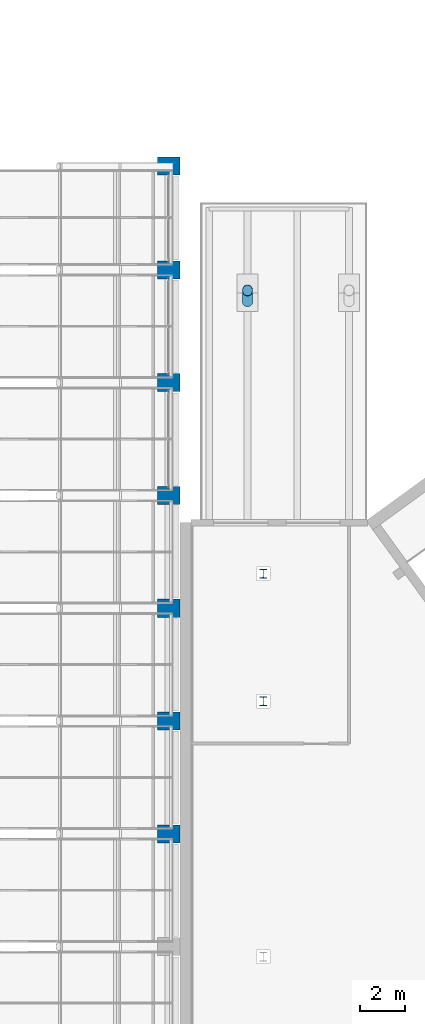
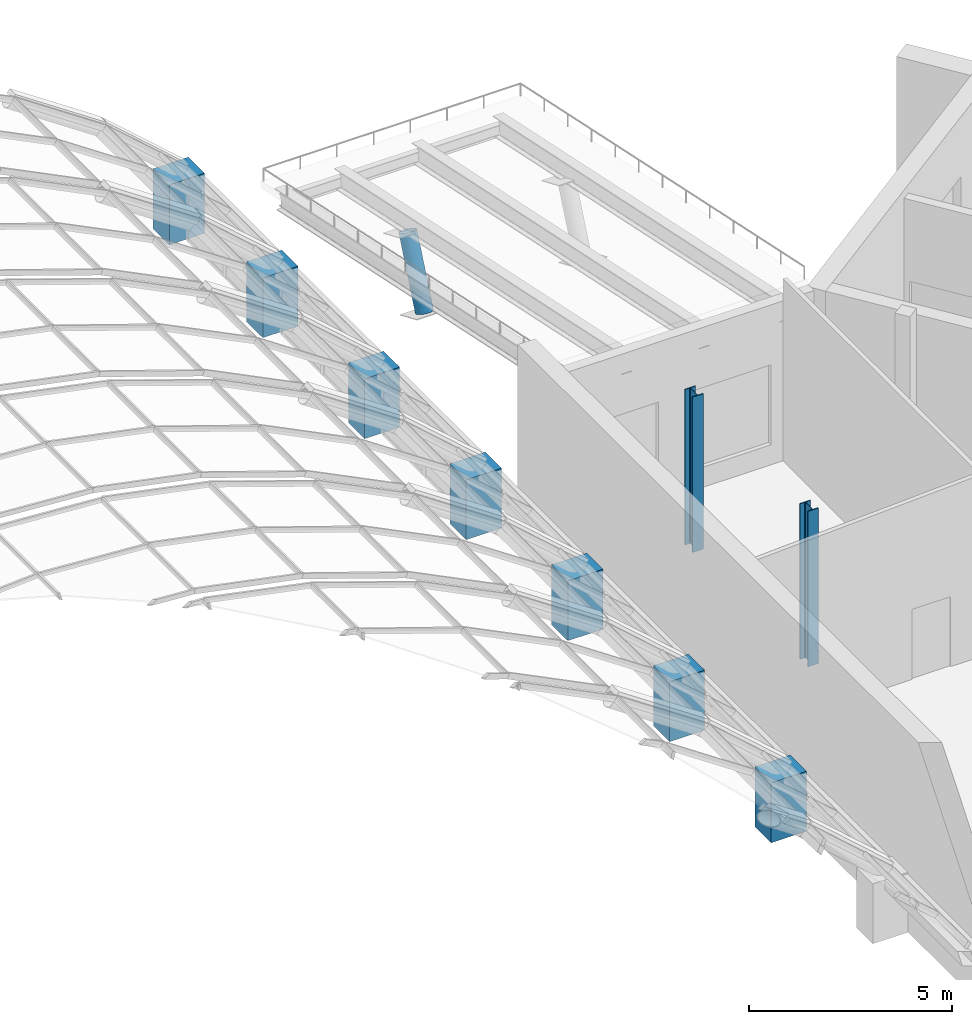
# One storey, part 25 of 182: 10 columns.
"""IFC4 building model written with IfcOpenShell, lengths in metres."""

from ifc_helpers import new_model, si_unit, direction, frame, origin, origin_2d, place, context, subcontext, project, spatial, rectangle, hollow_circle, i_section, extrude, material, material_profile, profile_set, type_object, element, save


model = new_model("IFC4")

# Units and contexts
model_context = context("Model", 3, precision=1e-05, world=origin(), true_north=direction((0.0, 1.0)))
body_context = subcontext(model_context, "Body", "Model", "MODEL_VIEW")
ifc_project = project(units=[si_unit("LENGTHUNIT", "METRE"), si_unit("AREAUNIT", "SQUARE_METRE"), si_unit("VOLUMEUNIT", "CUBIC_METRE"), si_unit("PLANEANGLEUNIT", "RADIAN"), si_unit("MASSUNIT", "GRAM", prefix="KILO")], contexts=[model_context])

# Site, building, storey
site_placement = place(None, origin())
site = spatial("IfcSite", under=ifc_project, at=site_placement, CompositionType="ELEMENT")
building_placement = place(site_placement, origin())
building = spatial("IfcBuilding", under=site, at=building_placement, Name="Okhra Congress Centre", CompositionType="ELEMENT")
storey_placement = place(building_placement, frame((0.0, 0.0, 7.199951171875)))
storey = spatial("IfcBuildingStorey", under=building, at=storey_placement, Name="L01", CompositionType="ELEMENT", Elevation=7.199951171875)

# Columns
ifc_material_1 = material(Name="Steel S355J2H", Category="steel")
ifc_material_profile_1 = material_profile(ifc_material_1, hollow_circle(Radius=0.228515625, WallThickness=0.012451171875, at=origin_2d()), Name="CHS 457x12.5")
ifc_profile_set_1 = profile_set([ifc_material_profile_1], Name="Steel S355J2H")
column_type_1 = type_object("IfcColumnType", Name="CHS 457x12.5", PredefinedType="COLUMN", material=ifc_profile_set_1)
column_placement = place(storey_placement, frame((192.5, 209.580810546875, 0.0), z_axis=(0.0, 0.390391463217, 0.920648958859), x_axis=(-1.0, 0.0, 0.0)))
element("IfcColumn", 1, at=column_placement, inside=storey, type_object=column_type_1, Name="North canopy strut 1 upper", PredefinedType="COLUMN", context=body_context, shape_type="SweptSolid", body=[
    extrude(hollow_circle(Radius=0.228515625, WallThickness=0.012451171875, at=origin_2d()), origin(), (0.0, 0.0, 1.0), 2.09814453125),
])
ifc_material_2 = material(Name="Steel S355J2", Category="steel")
ifc_material_profile_2 = material_profile(ifc_material_2, i_section(OverallWidth=0.300048828125, OverallDepth=0.39990234375, WebThickness=0.013427734375, FlangeThickness=0.02392578125, FilletRadius=0.027099609375, at=origin_2d()), Name="HE 400 B")
ifc_profile_set_2 = profile_set([ifc_material_profile_2], Name="Steel S355J2")
column_type_2 = type_object("IfcColumnType", Name="HE 400 B", PredefinedType="COLUMN", material=ifc_profile_set_2)
for number, where, z_axis, x_axis, name in (
    (2, (193.199951171875, 191.8798828125, 0.0), (0.0, 0.0, 1.0), (1.0, 0.0, 0.0), "Foyer roof column 6"),
    (3, (193.199951171875, 197.5400390625, 0.0), (0.0, 0.0, 1.0), (1.0, 0.0, 0.0), "Foyer roof column 7"),
):
    element("IfcColumn", number, at=place(storey_placement, frame(where, z_axis=z_axis, x_axis=x_axis)), inside=storey, type_object=column_type_2, Name=name, PredefinedType="COLUMN", context=body_context, shape_type="SweptSolid", body=[
        extrude(i_section(OverallWidth=0.300048828125, OverallDepth=0.39990234375, WebThickness=0.013427734375, FlangeThickness=0.02392578125, FilletRadius=0.027099609375, at=origin_2d()), origin(), (0.0, 0.0, 1.0), 4.667724609375),
    ])
ifc_material_3 = material(Name="Concrete C40/50", Category="concrete")
ifc_material_profile_3 = material_profile(ifc_material_3, rectangle(XDim=1.0, YDim=0.800048828125, at=origin_2d()), Name="RC 1000x800")
ifc_profile_set_3 = profile_set([ifc_material_profile_3], Name="Concrete C40/50")
column_type_3 = type_object("IfcColumnType", Name="RC pier 1000x800 C40/50", PredefinedType="COLUMN", material=ifc_profile_set_3)
for number, where, z_axis, x_axis, name in (
    (4, (189.0, 186.0, 0.0), (0.0, 0.0, 1.0), (1.0, 0.0, 0.0), "WG.COL.L01.pier-E22"),
    (5, (189.0, 191.0, 0.0), (0.0, 0.0, 1.0), (1.0, 0.0, 0.0), "WG.COL.L01.pier-E23"),
    (6, (189.0, 196.0, 0.0), (0.0, 0.0, 1.0), (1.0, 0.0, 0.0), "WG.COL.L01.pier-E24"),
    (7, (189.0, 201.0, 0.0), (0.0, 0.0, 1.0), (1.0, 0.0, 0.0), "WG.COL.L01.pier-E25"),
    (8, (189.0, 206.0, 0.0), (0.0, 0.0, 1.0), (1.0, 0.0, 0.0), "WG.COL.L01.pier-E26"),
    (9, (189.0, 211.0, 0.0), (0.0, 0.0, 1.0), (1.0, 0.0, 0.0), "WG.COL.L01.pier-E27"),
    (10, (189.0, 215.60009765625, 0.0), (0.0, 0.0, 1.0), (1.0, 0.0, 0.0), "WG.COL.L01.pier-E28"),
):
    element("IfcColumn", number, at=place(storey_placement, frame(where, z_axis=z_axis, x_axis=x_axis)), inside=storey, type_object=column_type_3, Name=name, PredefinedType="COLUMN", context=body_context, shape_type="SweptSolid", body=[
        extrude(rectangle(XDim=1.0, YDim=0.800048828125, at=origin_2d()), origin(), (0.0, 0.0, 1.0), 1.800048828125),
    ])

save(model, "model.ifc")
